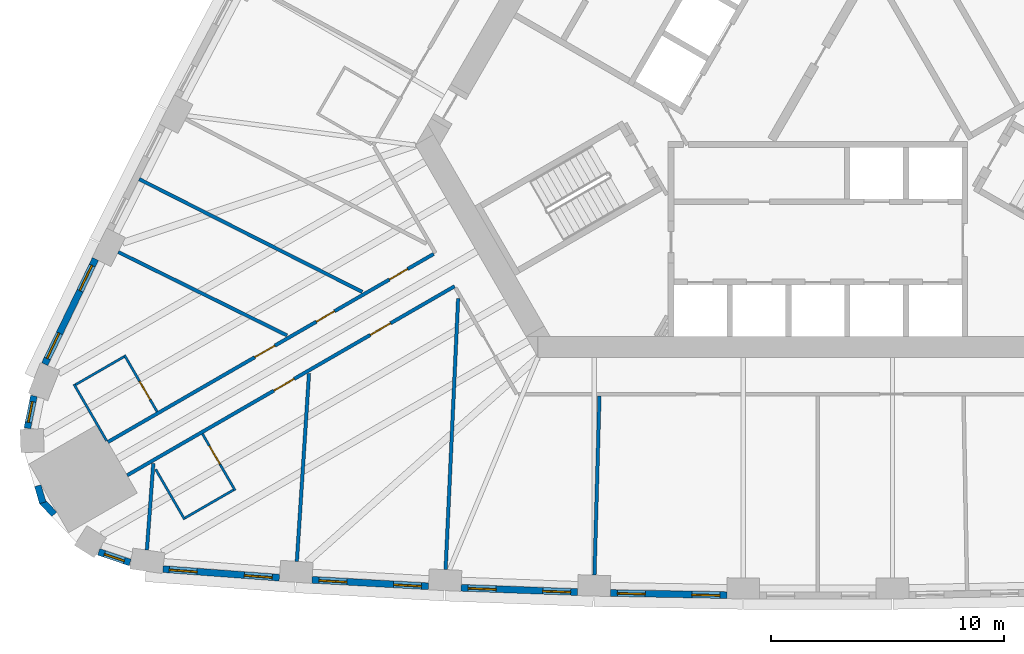
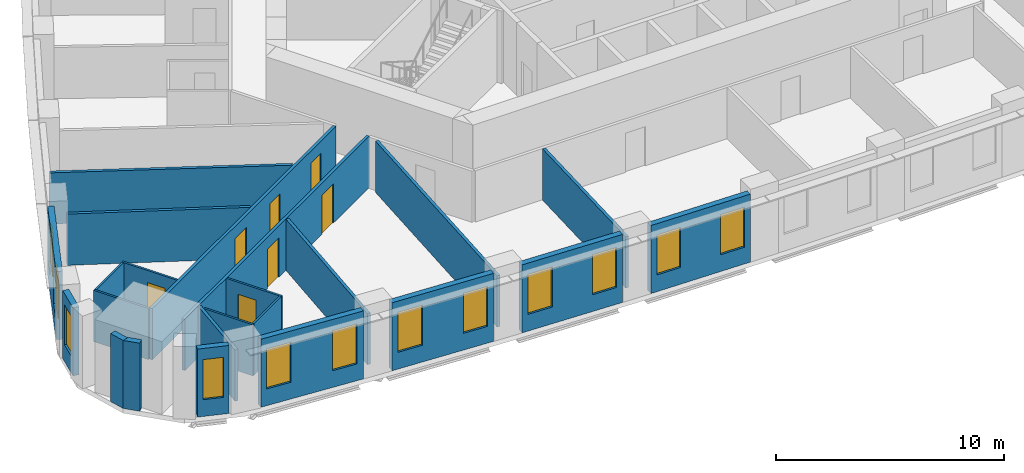
# One storey, part 3 of 12: 23 walls, 12 windows, 7 doors, 19 openings.
"""IFC4 building model written with IfcOpenShell, lengths in metres."""

from ifc_helpers import new_model, si_unit, direction, frame, frame_2d, origin, place, context, subcontext, project, spatial, rectangle, extrude, material, layer, layer_set, type_object, element, fill, save


model = new_model("IFC4")

# Units and contexts
model_context = context("Model", 3, precision=1e-05, world=origin(), true_north=direction((0.0, 1.0)))
body_context = subcontext(model_context, "Body", "Model", "MODEL_VIEW")
ifc_project = project(units=[si_unit("LENGTHUNIT", "METRE"), si_unit("AREAUNIT", "SQUARE_METRE"), si_unit("VOLUMEUNIT", "CUBIC_METRE"), si_unit("PLANEANGLEUNIT", "RADIAN"), si_unit("MASSUNIT", "GRAM", prefix="KILO")], contexts=[model_context])

# Site, building, storey
site_placement = place(None, origin())
site = spatial("IfcSite", under=ifc_project, at=site_placement, CompositionType="ELEMENT")
building_placement = place(site_placement, origin())
building = spatial("IfcBuilding", under=site, at=building_placement, Name="Mestral Congress Tower", CompositionType="ELEMENT")
storey_placement = place(building_placement, frame((0.0, 0.0, 39.300048828125)))
storey = spatial("IfcBuildingStorey", under=building, at=storey_placement, Name="L08", CompositionType="ELEMENT", Elevation=39.300048828125)

# Wall, openings, windows
ifc_material_1 = material(Name="Precast concrete C40/50 with limestone facing", Category="masonry")
ifc_layer_1 = layer(ifc_material_1, 0.2900390625)
ifc_layer_set_1 = layer_set([ifc_layer_1], Name="Precast concrete C40/50 with limestone facing")
wall_type_1 = type_object("IfcWallType", Name="Facade stone wall 290", PredefinedType="SOLIDWALL", material=ifc_layer_set_1)
wall_1_placement = place(storey_placement, frame((-28.097900390625, -22.086181640625, 0.0), z_axis=(0.0, 0.0, 1.0), x_axis=(0.997266290399, -0.073891447643, 0.0)))
wall_1 = element("IfcWall", 1, at=wall_1_placement, inside=storey, type_object=wall_type_1, Name="Facade wall F0-00", PredefinedType="SOLIDWALL", context=body_context, shape_type="SweptSolid", body=[
    extrude(rectangle(XDim=5.005615234375, YDim=0.2900390625, at=frame_2d((2.5029296875, 0.0))), origin(), (0.0, 0.0, 1.0), 3.64990234375),
])
opening_1_placement = place(wall_1_placement, frame((0.26513671875, 0.0, 0.89990234375)))
opening_1 = element("IfcOpeningElement", 2, at=opening_1_placement, cuts=wall_1, Name="Opening W1", PredefinedType="OPENING", context=body_context, shape_type="SweptSolid", body=[
    extrude(rectangle(XDim=1.199951171875, YDim=2.14990234375, at=frame_2d((0.60009765625, 1.074951171875))), frame((0.0, 0.155029296875, 0.0), z_axis=(0.0, -1.0, 0.0), x_axis=(1.0, 0.0, 0.0)), (0.0, 0.0, 1.0), 0.31005859375),
])
opening_2_placement = place(wall_1_placement, frame((3.49560546875, 0.0, 0.89990234375)))
opening_2 = element("IfcOpeningElement", 3, at=opening_2_placement, cuts=wall_1, Name="Opening W1", PredefinedType="OPENING", context=body_context, shape_type="SweptSolid", body=[
    extrude(rectangle(XDim=1.199951171875, YDim=2.14990234375, at=frame_2d((0.60009765625, 1.074951171875))), frame((0.0, 0.155029296875, 0.0), z_axis=(0.0, -1.0, 0.0), x_axis=(1.0, 0.0, 0.0)), (0.0, 0.0, 1.0), 0.31005859375),
])
ifc_material_2 = material(Name="Clear low-emissivity double glazing", Category="glass")
window_type_1 = type_object("IfcWindowType", Name="Facade punched window 1200 x 2150 sill 900", PartitioningType="DOUBLE_PANEL_VERTICAL", PredefinedType="WINDOW", material=ifc_material_2)
window_1_placement = place(opening_1_placement, origin())
window_1 = element("IfcWindow", 4, at=window_1_placement, inside=storey, type_object=window_type_1, Name="Window F0-00a", OverallHeight=2.14990234375, OverallWidth=1.199951171875, PartitioningType="DOUBLE_PANEL_VERTICAL", PredefinedType="WINDOW", context=body_context, shape_type="SweptSolid", body=[
    extrude(rectangle(XDim=1.199951171875, YDim=2.14990234375, at=frame_2d((0.60009765625, 1.074951171875))), frame((0.0, 0.01513671875, 0.0), z_axis=(0.0, -1.0, 0.0), x_axis=(1.0, 0.0, 0.0)), (0.0, 0.0, 1.0), 0.06005859375),
])
fill(opening_1, window_1)
window_2_placement = place(opening_2_placement, origin())
window_2 = element("IfcWindow", 5, at=window_2_placement, inside=storey, type_object=window_type_1, Name="Window F0-00b", OverallHeight=2.14990234375, OverallWidth=1.199951171875, PartitioningType="DOUBLE_PANEL_VERTICAL", PredefinedType="WINDOW", context=body_context, shape_type="SweptSolid", body=[
    extrude(rectangle(XDim=1.199951171875, YDim=2.14990234375, at=frame_2d((0.60009765625, 1.074951171875))), frame((0.0, 0.01513671875, 0.0), z_axis=(0.0, -1.0, 0.0), x_axis=(1.0, 0.0, 0.0)), (0.0, 0.0, 1.0), 0.06005859375),
])
fill(opening_2, window_2)

wall_2_placement = place(storey_placement, frame((-21.701416015625, -22.547119140625, 0.0), z_axis=(0.0, 0.0, 1.0), x_axis=(0.998464708705, -0.055391564976, 0.0)))
wall_2 = element("IfcWall", 6, at=wall_2_placement, inside=storey, type_object=wall_type_1, Name="Facade wall F0-01", PredefinedType="SOLIDWALL", context=body_context, shape_type="SweptSolid", body=[
    extrude(rectangle(XDim=4.998046875, YDim=0.2900390625, at=frame_2d((2.4990234375, 0.0))), origin(), (0.0, 0.0, 1.0), 3.64990234375),
])
opening_3_placement = place(wall_2_placement, frame((0.297119140625, 0.0, 0.89990234375)))
opening_3 = element("IfcOpeningElement", 7, at=opening_3_placement, cuts=wall_2, Name="Opening W1", PredefinedType="OPENING", context=body_context, shape_type="SweptSolid", body=[
    extrude(rectangle(XDim=1.199951171875, YDim=2.14990234375, at=frame_2d((0.60009765625, 1.074951171875))), frame((0.0, 0.155029296875, 0.0), z_axis=(0.0, -1.0, 0.0), x_axis=(1.0, 0.0, 0.0)), (0.0, 0.0, 1.0), 0.31005859375),
])
opening_4_placement = place(wall_2_placement, frame((3.501220703125, 0.0, 0.89990234375)))
opening_4 = element("IfcOpeningElement", 8, at=opening_4_placement, cuts=wall_2, Name="Opening W1", PredefinedType="OPENING", context=body_context, shape_type="SweptSolid", body=[
    extrude(rectangle(XDim=1.199951171875, YDim=2.14990234375, at=frame_2d((0.60009765625, 1.074951171875))), frame((0.0, 0.155029296875, 0.0), z_axis=(0.0, -1.0, 0.0), x_axis=(1.0, 0.0, 0.0)), (0.0, 0.0, 1.0), 0.31005859375),
])
window_3_placement = place(opening_3_placement, origin())
window_3 = element("IfcWindow", 9, at=window_3_placement, inside=storey, type_object=window_type_1, Name="Window F0-01a", OverallHeight=2.14990234375, OverallWidth=1.199951171875, PartitioningType="DOUBLE_PANEL_VERTICAL", PredefinedType="WINDOW", context=body_context, shape_type="SweptSolid", body=[
    extrude(rectangle(XDim=1.199951171875, YDim=2.14990234375, at=frame_2d((0.60009765625, 1.074951171875))), frame((0.0, 0.01513671875, 0.0), z_axis=(0.0, -1.0, 0.0), x_axis=(1.0, 0.0, 0.0)), (0.0, 0.0, 1.0), 0.06005859375),
])
fill(opening_3, window_3)
window_4_placement = place(opening_4_placement, origin())
window_4 = element("IfcWindow", 10, at=window_4_placement, inside=storey, type_object=window_type_1, Name="Window F0-01b", OverallHeight=2.14990234375, OverallWidth=1.199951171875, PartitioningType="DOUBLE_PANEL_VERTICAL", PredefinedType="WINDOW", context=body_context, shape_type="SweptSolid", body=[
    extrude(rectangle(XDim=1.199951171875, YDim=2.14990234375, at=frame_2d((0.60009765625, 1.074951171875))), frame((0.0, 0.01513671875, 0.0), z_axis=(0.0, -1.0, 0.0), x_axis=(1.0, 0.0, 0.0)), (0.0, 0.0, 1.0), 0.06005859375),
])
fill(opening_4, window_4)

wall_3_placement = place(storey_placement, frame((-15.30517578125, -22.88916015625, 0.0), z_axis=(0.0, 0.0, 1.0), x_axis=(0.999317974969, -0.036926750529, 0.0)))
wall_3 = element("IfcWall", 11, at=wall_3_placement, inside=storey, type_object=wall_type_1, Name="Facade wall F0-02", PredefinedType="SOLIDWALL", context=body_context, shape_type="SweptSolid", body=[
    extrude(rectangle(XDim=4.998291015625, YDim=0.2900390625, at=frame_2d((2.4990234375, 0.0))), origin(), (0.0, 0.0, 1.0), 3.64990234375),
])
opening_5_placement = place(wall_3_placement, frame((0.297119140625, 0.0, 0.89990234375)))
opening_5 = element("IfcOpeningElement", 12, at=opening_5_placement, cuts=wall_3, Name="Opening W1", PredefinedType="OPENING", context=body_context, shape_type="SweptSolid", body=[
    extrude(rectangle(XDim=1.199951171875, YDim=2.14990234375, at=frame_2d((0.60009765625, 1.074951171875))), frame((0.0, 0.155029296875, 0.0), z_axis=(0.0, -1.0, 0.0), x_axis=(1.0, 0.0, 0.0)), (0.0, 0.0, 1.0), 0.31005859375),
])
opening_6_placement = place(wall_3_placement, frame((3.501220703125, 0.0, 0.89990234375)))
opening_6 = element("IfcOpeningElement", 13, at=opening_6_placement, cuts=wall_3, Name="Opening W1", PredefinedType="OPENING", context=body_context, shape_type="SweptSolid", body=[
    extrude(rectangle(XDim=1.199951171875, YDim=2.14990234375, at=frame_2d((0.60009765625, 1.074951171875))), frame((0.0, 0.155029296875, 0.0), z_axis=(0.0, -1.0, 0.0), x_axis=(1.0, 0.0, 0.0)), (0.0, 0.0, 1.0), 0.31005859375),
])
window_5_placement = place(opening_5_placement, origin())
window_5 = element("IfcWindow", 14, at=window_5_placement, inside=storey, type_object=window_type_1, Name="Window F0-02a", OverallHeight=2.14990234375, OverallWidth=1.199951171875, PartitioningType="DOUBLE_PANEL_VERTICAL", PredefinedType="WINDOW", context=body_context, shape_type="SweptSolid", body=[
    extrude(rectangle(XDim=1.199951171875, YDim=2.14990234375, at=frame_2d((0.60009765625, 1.074951171875))), frame((0.0, 0.01513671875, 0.0), z_axis=(0.0, -1.0, 0.0), x_axis=(1.0, 0.0, 0.0)), (0.0, 0.0, 1.0), 0.06005859375),
])
fill(opening_5, window_5)
window_6_placement = place(opening_6_placement, origin())
window_6 = element("IfcWindow", 15, at=window_6_placement, inside=storey, type_object=window_type_1, Name="Window F0-02b", OverallHeight=2.14990234375, OverallWidth=1.199951171875, PartitioningType="DOUBLE_PANEL_VERTICAL", PredefinedType="WINDOW", context=body_context, shape_type="SweptSolid", body=[
    extrude(rectangle(XDim=1.199951171875, YDim=2.14990234375, at=frame_2d((0.60009765625, 1.074951171875))), frame((0.0, 0.01513671875, 0.0), z_axis=(0.0, -1.0, 0.0), x_axis=(1.0, 0.0, 0.0)), (0.0, 0.0, 1.0), 0.06005859375),
])
fill(opening_6, window_6)

wall_4_placement = place(storey_placement, frame((-8.903564453125, -23.11279296875, 0.0), z_axis=(0.0, 0.0, 1.0), x_axis=(0.999829529479, -0.018463801951, 0.0)))
wall_4 = element("IfcWall", 16, at=wall_4_placement, inside=storey, type_object=wall_type_1, Name="Facade wall F0-03", PredefinedType="SOLIDWALL", context=body_context, shape_type="SweptSolid", body=[
    extrude(rectangle(XDim=4.998046875, YDim=0.2900390625, at=frame_2d((2.4990234375, 0.0))), origin(), (0.0, 0.0, 1.0), 3.64990234375),
])
opening_7_placement = place(wall_4_placement, frame((0.297119140625, 0.0, 0.89990234375)))
opening_7 = element("IfcOpeningElement", 17, at=opening_7_placement, cuts=wall_4, Name="Opening W1", PredefinedType="OPENING", context=body_context, shape_type="SweptSolid", body=[
    extrude(rectangle(XDim=1.199951171875, YDim=2.14990234375, at=frame_2d((0.60009765625, 1.074951171875))), frame((0.0, 0.155029296875, 0.0), z_axis=(0.0, -1.0, 0.0), x_axis=(1.0, 0.0, 0.0)), (0.0, 0.0, 1.0), 0.31005859375),
])
opening_8_placement = place(wall_4_placement, frame((3.501220703125, 0.0, 0.89990234375)))
opening_8 = element("IfcOpeningElement", 18, at=opening_8_placement, cuts=wall_4, Name="Opening W1", PredefinedType="OPENING", context=body_context, shape_type="SweptSolid", body=[
    extrude(rectangle(XDim=1.199951171875, YDim=2.14990234375, at=frame_2d((0.60009765625, 1.074951171875))), frame((0.0, 0.155029296875, 0.0), z_axis=(0.0, -1.0, 0.0), x_axis=(1.0, 0.0, 0.0)), (0.0, 0.0, 1.0), 0.31005859375),
])
window_7_placement = place(opening_7_placement, origin())
window_7 = element("IfcWindow", 19, at=window_7_placement, inside=storey, type_object=window_type_1, Name="Window F0-03a", OverallHeight=2.14990234375, OverallWidth=1.199951171875, PartitioningType="DOUBLE_PANEL_VERTICAL", PredefinedType="WINDOW", context=body_context, shape_type="SweptSolid", body=[
    extrude(rectangle(XDim=1.199951171875, YDim=2.14990234375, at=frame_2d((0.60009765625, 1.074951171875))), frame((0.0, 0.01513671875, 0.0), z_axis=(0.0, -1.0, 0.0), x_axis=(1.0, 0.0, 0.0)), (0.0, 0.0, 1.0), 0.06005859375),
])
fill(opening_7, window_7)
window_8_placement = place(opening_8_placement, origin())
window_8 = element("IfcWindow", 20, at=window_8_placement, inside=storey, type_object=window_type_1, Name="Window F0-03b", OverallHeight=2.14990234375, OverallWidth=1.199951171875, PartitioningType="DOUBLE_PANEL_VERTICAL", PredefinedType="WINDOW", context=body_context, shape_type="SweptSolid", body=[
    extrude(rectangle(XDim=1.199951171875, YDim=2.14990234375, at=frame_2d((0.60009765625, 1.074951171875))), frame((0.0, 0.01513671875, 0.0), z_axis=(0.0, -1.0, 0.0), x_axis=(1.0, 0.0, 0.0)), (0.0, 0.0, 1.0), 0.06005859375),
])
fill(opening_8, window_8)

wall_5_placement = place(storey_placement, frame((-31.000244140625, -8.7822265625, 0.0), z_axis=(0.0, 0.0, 1.0), x_axis=(-0.434664499056, -0.900592456808, 0.0)))
wall_5 = element("IfcWall", 21, at=wall_5_placement, inside=storey, type_object=wall_type_1, Name="Facade wall F2-08", PredefinedType="SOLIDWALL", context=body_context, shape_type="SweptSolid", body=[
    extrude(rectangle(XDim=5.005615234375, YDim=0.2900390625, at=frame_2d((2.5029296875, 0.0))), origin(), (0.0, 0.0, 1.0), 3.64990234375),
])
opening_9_placement = place(wall_5_placement, frame((0.310302734375, 0.0, 0.89990234375)))
opening_9 = element("IfcOpeningElement", 22, at=opening_9_placement, cuts=wall_5, Name="Opening W1", PredefinedType="OPENING", context=body_context, shape_type="SweptSolid", body=[
    extrude(rectangle(XDim=1.199951171875, YDim=2.14990234375, at=frame_2d((0.60009765625, 1.074951171875))), frame((0.0, 0.155029296875, 0.0), z_axis=(0.0, -1.0, 0.0), x_axis=(1.0, 0.0, 0.0)), (0.0, 0.0, 1.0), 0.31005859375),
])
opening_10_placement = place(wall_5_placement, frame((3.54052734375, 0.0, 0.89990234375)))
opening_10 = element("IfcOpeningElement", 23, at=opening_10_placement, cuts=wall_5, Name="Opening W1", PredefinedType="OPENING", context=body_context, shape_type="SweptSolid", body=[
    extrude(rectangle(XDim=1.199951171875, YDim=2.14990234375, at=frame_2d((0.60009765625, 1.074951171875))), frame((0.0, 0.155029296875, 0.0), z_axis=(0.0, -1.0, 0.0), x_axis=(1.0, 0.0, 0.0)), (0.0, 0.0, 1.0), 0.31005859375),
])
window_9_placement = place(opening_9_placement, origin())
window_9 = element("IfcWindow", 24, at=window_9_placement, inside=storey, type_object=window_type_1, Name="Window F2-08a", OverallHeight=2.14990234375, OverallWidth=1.199951171875, PartitioningType="DOUBLE_PANEL_VERTICAL", PredefinedType="WINDOW", context=body_context, shape_type="SweptSolid", body=[
    extrude(rectangle(XDim=1.199951171875, YDim=2.14990234375, at=frame_2d((0.60009765625, 1.074951171875))), frame((0.0, 0.01513671875, 0.0), z_axis=(0.0, -1.0, 0.0), x_axis=(1.0, 0.0, 0.0)), (0.0, 0.0, 1.0), 0.06005859375),
])
fill(opening_9, window_9)
window_10_placement = place(opening_10_placement, origin())
window_10 = element("IfcWindow", 25, at=window_10_placement, inside=storey, type_object=window_type_1, Name="Window F2-08b", OverallHeight=2.14990234375, OverallWidth=1.199951171875, PartitioningType="DOUBLE_PANEL_VERTICAL", PredefinedType="WINDOW", context=body_context, shape_type="SweptSolid", body=[
    extrude(rectangle(XDim=1.199951171875, YDim=2.14990234375, at=frame_2d((0.60009765625, 1.074951171875))), frame((0.0, 0.01513671875, 0.0), z_axis=(0.0, -1.0, 0.0), x_axis=(1.0, 0.0, 0.0)), (0.0, 0.0, 1.0), 0.06005859375),
])
fill(opening_10, window_10)

# Wall, opening, window
wall_6_placement = place(storey_placement, frame((-33.63720703125, -14.656982421875, 0.0), z_axis=(0.0, 0.0, 1.0), x_axis=(-0.198106888228, -0.980180422594, 0.0)))
wall_6 = element("IfcWall", 26, at=wall_6_placement, inside=storey, type_object=wall_type_1, Name="Facade wall K2-0", PredefinedType="SOLIDWALL", context=body_context, shape_type="SweptSolid", body=[
    extrude(rectangle(XDim=1.414794921875, YDim=0.2900390625, at=frame_2d((0.70751953125, 0.0))), origin(), (0.0, 0.0, 1.0), 3.64990234375),
])
opening_11_placement = place(wall_6_placement, frame((0.25732421875, 0.0, 0.89990234375)))
opening_11 = element("IfcOpeningElement", 27, at=opening_11_placement, cuts=wall_6, Name="Opening W3", PredefinedType="OPENING", context=body_context, shape_type="SweptSolid", body=[
    extrude(rectangle(XDim=0.89990234375, YDim=2.14990234375, at=frame_2d((0.449951171875, 1.074951171875))), frame((0.0, 0.155029296875, 0.0), z_axis=(0.0, -1.0, 0.0), x_axis=(1.0, 0.0, 0.0)), (0.0, 0.0, 1.0), 0.31005859375),
])
window_type_2 = type_object("IfcWindowType", Name="Facade punched window 900 x 2150 sill 900", PartitioningType="SINGLE_PANEL", PredefinedType="WINDOW", material=ifc_material_2)
window_11_placement = place(opening_11_placement, origin())
window_11 = element("IfcWindow", 28, at=window_11_placement, inside=storey, type_object=window_type_2, Name="Window K2-0", OverallHeight=2.14990234375, OverallWidth=0.89990234375, PartitioningType="SINGLE_PANEL", PredefinedType="WINDOW", context=body_context, shape_type="SweptSolid", body=[
    extrude(rectangle(XDim=0.89990234375, YDim=2.14990234375, at=frame_2d((0.449951171875, 1.074951171875))), frame((0.0, 0.01513671875, 0.0), z_axis=(0.0, -1.0, 0.0), x_axis=(1.0, 0.0, 0.0)), (0.0, 0.0, 1.0), 0.06005859375),
])
fill(opening_11, window_11)

# Walls
for number, where, z_axis, x_axis, name in (
    (29, (-33.4697265625, -18.507080078125, 0.0), (0.0, 0.0, 1.0), (0.278981320915, -0.960296528464, 0.0), "Facade wall K2-1"),
    (30, (-33.291259765625, -19.180908203125, 0.0), (0.0, 0.0, 1.0), (0.692252359589, -0.721655506903, 0.0), "Facade wall K2-2"),
):
    element("IfcWall", number, at=place(storey_placement, frame(where, z_axis=z_axis, x_axis=x_axis)), inside=storey, type_object=wall_type_1, Name=name, PredefinedType="SOLIDWALL", context=body_context, shape_type="SweptSolid", body=[
        extrude(rectangle(XDim=0.763916015625, YDim=0.2900390625, at=frame_2d((0.3818359375, 0.0))), origin(), (0.0, 0.0, 1.0), 3.64990234375),
    ])

# Wall, opening, window
wall_7_placement = place(storey_placement, frame((-30.852783203125, -21.3515625, 0.0), z_axis=(0.0, 0.0, 1.0), x_axis=(0.947903891592, -0.318556450734, 0.0)))
wall_7 = element("IfcWall", 31, at=wall_7_placement, inside=storey, type_object=wall_type_1, Name="Facade wall K2-3", PredefinedType="SOLIDWALL", context=body_context, shape_type="SweptSolid", body=[
    extrude(rectangle(XDim=1.414794921875, YDim=0.2900390625, at=frame_2d((0.70751953125, 0.0))), origin(), (0.0, 0.0, 1.0), 3.64990234375),
])
opening_12_placement = place(wall_7_placement, frame((0.25732421875, 0.0, 0.89990234375)))
opening_12 = element("IfcOpeningElement", 32, at=opening_12_placement, cuts=wall_7, Name="Opening W3", PredefinedType="OPENING", context=body_context, shape_type="SweptSolid", body=[
    extrude(rectangle(XDim=0.89990234375, YDim=2.14990234375, at=frame_2d((0.449951171875, 1.074951171875))), frame((0.0, 0.155029296875, 0.0), z_axis=(0.0, -1.0, 0.0), x_axis=(1.0, 0.0, 0.0)), (0.0, 0.0, 1.0), 0.31005859375),
])
window_12_placement = place(opening_12_placement, origin())
window_12 = element("IfcWindow", 33, at=window_12_placement, inside=storey, type_object=window_type_2, Name="Window K2-3", OverallHeight=2.14990234375, OverallWidth=0.89990234375, PartitioningType="SINGLE_PANEL", PredefinedType="WINDOW", context=body_context, shape_type="SweptSolid", body=[
    extrude(rectangle(XDim=0.89990234375, YDim=2.14990234375, at=frame_2d((0.449951171875, 1.074951171875))), frame((0.0, 0.01513671875, 0.0), z_axis=(0.0, -1.0, 0.0), x_axis=(1.0, 0.0, 0.0)), (0.0, 0.0, 1.0), 0.06005859375),
])
fill(opening_12, window_12)

# Wall, opening, door
ifc_material_3 = material(Name="Gypsum board partition on metal studs with mineral wool", Category="composite")
ifc_layer_2 = layer(ifc_material_3, 0.10009765625)
ifc_layer_set_2 = layer_set([ifc_layer_2], Name="Gypsum board partition on metal studs with mineral wool")
wall_type_2 = type_object("IfcWallType", Name="Hotel partition wall 100", PredefinedType="PARTITIONING", material=ifc_layer_set_2)
wall_8_placement = place(storey_placement, frame((-25.0048828125, -18.708984375, 0.0), z_axis=(0.0, 0.0, 1.0), x_axis=(-0.49998411664, 0.866034573852, 0.0)))
wall_8 = element("IfcWall", 34, at=wall_8_placement, inside=storey, type_object=wall_type_2, Name="L08-h-pod01a", PredefinedType="PARTITIONING", context=body_context, shape_type="SweptSolid", body=[
    extrude(rectangle(XDim=2.7998046875, YDim=0.10009765625, at=frame_2d((1.39990234375, 0.0))), origin(), (0.0, 0.0, 1.0), 2.75),
])
opening_13_placement = place(wall_8_placement, frame((1.300048828125, 0.0, 0.0)))
opening_13 = element("IfcOpeningElement", 35, at=opening_13_placement, cuts=wall_8, Name="Opening H02-002", PredefinedType="OPENING", context=body_context, shape_type="SweptSolid", body=[
    extrude(rectangle(XDim=0.89990234375, YDim=2.10009765625, at=frame_2d((0.449951171875, 1.050048828125))), frame((0.0, 0.06005859375, 0.0), z_axis=(0.0, -1.0, 0.0), x_axis=(1.0, 0.0, 0.0)), (0.0, 0.0, 1.0), 0.1201171875),
])
ifc_material_4 = material(Name="Timber veneer door leaf in timber frame", Category="wood")
door_type_1 = type_object("IfcDoorType", Name="Bathroom door 900", OperationType="SINGLE_SWING_LEFT", PredefinedType="DOOR", material=ifc_material_4)
door_1_placement = place(opening_13_placement, origin())
door_1 = element("IfcDoor", 36, at=door_1_placement, inside=storey, type_object=door_type_1, Name="L08-h-d002", OperationType="SINGLE_SWING_LEFT", OverallHeight=2.10009765625, OverallWidth=0.89990234375, PredefinedType="DOOR", context=body_context, shape_type="SweptSolid", body=[
    extrude(rectangle(XDim=0.89990234375, YDim=2.10009765625, at=frame_2d((0.449951171875, 1.050048828125))), frame((0.0, 0.02490234375, 0.0), z_axis=(0.0, -1.0, 0.0), x_axis=(1.0, 0.0, 0.0)), (0.0, 0.0, 1.0), 0.050048828125),
])
fill(opening_13, door_1)

# Walls
wall_9_placement = place(storey_placement, frame((-25.072998046875, -18.690673828125, 0.0), z_axis=(0.0, 0.0, 1.0), x_axis=(-0.866050077142, -0.499957262057, 0.0)))
element("IfcWall", 37, at=wall_9_placement, inside=storey, type_object=wall_type_2, Name="L08-h-pod01b", PredefinedType="PARTITIONING", context=body_context, shape_type="SweptSolid", body=[
    extrude(rectangle(XDim=2.400146484375, YDim=0.10009765625, at=frame_2d((1.2001953125, 0.0))), origin(), (0.0, 0.0, 1.0), 2.75),
])
wall_10_placement = place(storey_placement, frame((-28.414794921875, -17.802490234375, 0.0), z_axis=(0.0, 0.0, 1.0), x_axis=(0.499945955465, -0.866056604163, 0.0)))
element("IfcWall", 38, at=wall_10_placement, inside=storey, type_object=wall_type_2, Name="L08-h-pod01c", PredefinedType="PARTITIONING", context=body_context, shape_type="SweptSolid", body=[
    extrude(rectangle(XDim=2.489990234375, YDim=0.10009765625, at=frame_2d((1.2451171875, 0.0))), origin(), (0.0, 0.0, 1.0), 2.75),
])

# Wall, opening, door
wall_11_placement = place(storey_placement, frame((-28.352294921875, -15.330078125, 0.0), z_axis=(0.0, 0.0, 1.0), x_axis=(-0.500049511043, 0.865996816683, 0.0)))
wall_11 = element("IfcWall", 39, at=wall_11_placement, inside=storey, type_object=wall_type_2, Name="L08-h-pod27a", PredefinedType="PARTITIONING", context=body_context, shape_type="SweptSolid", body=[
    extrude(rectangle(XDim=2.800048828125, YDim=0.10009765625, at=frame_2d((1.39990234375, 0.0))), origin(), (0.0, 0.0, 1.0), 2.75),
])
opening_14_placement = place(wall_11_placement, frame((0.60009765625, 0.0, 0.0)))
opening_14 = element("IfcOpeningElement", 40, at=opening_14_placement, cuts=wall_11, Name="Opening H02-044", PredefinedType="OPENING", context=body_context, shape_type="SweptSolid", body=[
    extrude(rectangle(XDim=0.89990234375, YDim=2.10009765625, at=frame_2d((0.449951171875, 1.050048828125))), frame((0.0, 0.06005859375, 0.0), z_axis=(0.0, -1.0, 0.0), x_axis=(1.0, 0.0, 0.0)), (0.0, 0.0, 1.0), 0.1201171875),
])
door_2_placement = place(opening_14_placement, origin())
door_2 = element("IfcDoor", 41, at=door_2_placement, inside=storey, type_object=door_type_1, Name="L08-h-d044", OperationType="SINGLE_SWING_RIGHT", OverallHeight=2.10009765625, OverallWidth=0.89990234375, PredefinedType="DOOR", context=body_context, shape_type="SweptSolid", body=[
    extrude(rectangle(XDim=0.89990234375, YDim=2.10009765625, at=frame_2d((0.449951171875, 1.050048828125))), frame((0.0, 0.02490234375, 0.0), z_axis=(0.0, -1.0, 0.0), x_axis=(1.0, 0.0, 0.0)), (0.0, 0.0, 1.0), 0.050048828125),
])
fill(opening_14, door_2)

# Walls
wall_12_placement = place(storey_placement, frame((-29.770751953125, -12.973388671875, 0.0), z_axis=(0.0, 0.0, 1.0), x_axis=(-0.865980596518, -0.500077600433, 0.0)))
element("IfcWall", 42, at=wall_12_placement, inside=storey, type_object=wall_type_2, Name="L08-h-pod27b", PredefinedType="PARTITIONING", context=body_context, shape_type="SweptSolid", body=[
    extrude(rectangle(XDim=2.39990234375, YDim=0.10009765625, at=frame_2d((1.199951171875, 0.0))), origin(), (0.0, 0.0, 1.0), 2.75),
])
wall_13_placement = place(storey_placement, frame((-30.517578125, -16.580078125, 0.0), z_axis=(0.0, 0.0, 1.0), x_axis=(-0.49998411664, 0.866034573852, 0.0)))
element("IfcWall", 43, at=wall_13_placement, inside=storey, type_object=wall_type_2, Name="L08-h-pod27c", PredefinedType="PARTITIONING", context=body_context, shape_type="SweptSolid", body=[
    extrude(rectangle(XDim=2.7998046875, YDim=0.10009765625, at=frame_2d((1.39990234375, 0.0))), origin(), (0.0, 0.0, 1.0), 2.75),
])

# Wall, openings, doors
ifc_layer_3 = layer(ifc_material_3, 0.14990234375)
ifc_layer_set_3 = layer_set([ifc_layer_3], Name="Gypsum board partition on metal studs with mineral wool")
wall_type_3 = type_object("IfcWallType", Name="Hotel partition wall 150", PredefinedType="PARTITIONING", material=ifc_layer_set_3)
wall_14_placement = place(storey_placement, frame((-30.462646484375, -16.635009765625, 0.0), z_axis=(0.0, 0.0, 1.0), x_axis=(0.866022394896, 0.500005211512, 0.0)))
wall_14 = element("IfcWall", 44, at=wall_14_placement, inside=storey, type_object=wall_type_3, Name="L08-h-cw10", PredefinedType="PARTITIONING", context=body_context, shape_type="SweptSolid", body=[
    extrude(rectangle(XDim=16.143798828125, YDim=0.14990234375, at=frame_2d((8.07177734375, 0.0))), origin(), (0.0, 0.0, 1.0), 2.75),
])
opening_15_placement = place(wall_14_placement, frame((13.948486328125, 0.0, 0.0)))
opening_15 = element("IfcOpeningElement", 45, at=opening_15_placement, cuts=wall_14, Name="Opening H02-041", PredefinedType="OPENING", context=body_context, shape_type="SweptSolid", body=[
    extrude(rectangle(XDim=0.89990234375, YDim=2.10009765625, at=frame_2d((0.449951171875, 1.050048828125))), frame((0.0, 0.0849609375, 0.0), z_axis=(0.0, -1.0, 0.0), x_axis=(1.0, 0.0, 0.0)), (0.0, 0.0, 1.0), 0.169921875),
])
opening_16_placement = place(wall_14_placement, frame((10.3291015625, 0.0, 0.0)))
opening_16 = element("IfcOpeningElement", 46, at=opening_16_placement, cuts=wall_14, Name="Opening H02-042", PredefinedType="OPENING", context=body_context, shape_type="SweptSolid", body=[
    extrude(rectangle(XDim=0.89990234375, YDim=2.10009765625, at=frame_2d((0.449951171875, 1.050048828125))), frame((0.0, 0.0849609375, 0.0), z_axis=(0.0, -1.0, 0.0), x_axis=(1.0, 0.0, 0.0)), (0.0, 0.0, 1.0), 0.169921875),
])
opening_17_placement = place(wall_14_placement, frame((7.273681640625, 0.0, 0.0)))
opening_17 = element("IfcOpeningElement", 47, at=opening_17_placement, cuts=wall_14, Name="Opening H02-043", PredefinedType="OPENING", context=body_context, shape_type="SweptSolid", body=[
    extrude(rectangle(XDim=1.0, YDim=2.10009765625, at=frame_2d((0.5, 1.050048828125))), frame((0.0, 0.0849609375, 0.0), z_axis=(0.0, -1.0, 0.0), x_axis=(1.0, 0.0, 0.0)), (0.0, 0.0, 1.0), 0.169921875),
])
ifc_material_5 = material(Name="Timber veneer door leaf in metal frame", Category="wood")
door_type_2 = type_object("IfcDoorType", Name="Guest room entrance door 1000", OperationType="SINGLE_SWING_LEFT", PredefinedType="DOOR", material=ifc_material_5)
door_3_placement = place(opening_17_placement, origin())
door_3 = element("IfcDoor", 48, at=door_3_placement, inside=storey, type_object=door_type_2, Name="L08-h-d043", OperationType="SINGLE_SWING_RIGHT", OverallHeight=2.10009765625, OverallWidth=1.0, PredefinedType="DOOR", context=body_context, shape_type="SweptSolid", body=[
    extrude(rectangle(XDim=1.0, YDim=2.10009765625, at=frame_2d((0.5, 1.050048828125))), frame((0.0, 0.02490234375, 0.0), z_axis=(0.0, -1.0, 0.0), x_axis=(1.0, 0.0, 0.0)), (0.0, 0.0, 1.0), 0.050048828125),
])
fill(opening_17, door_3)
door_type_3 = type_object("IfcDoorType", Name="Service room door 900", OperationType="SINGLE_SWING_LEFT", PredefinedType="DOOR", material=ifc_material_5)
door_4_placement = place(opening_15_placement, origin())
door_4 = element("IfcDoor", 49, at=door_4_placement, inside=storey, type_object=door_type_3, Name="L08-h-d041", OperationType="SINGLE_SWING_LEFT", OverallHeight=2.10009765625, OverallWidth=0.89990234375, PredefinedType="DOOR", context=body_context, shape_type="SweptSolid", body=[
    extrude(rectangle(XDim=0.89990234375, YDim=2.10009765625, at=frame_2d((0.449951171875, 1.050048828125))), frame((0.0, 0.02490234375, 0.0), z_axis=(0.0, -1.0, 0.0), x_axis=(1.0, 0.0, 0.0)), (0.0, 0.0, 1.0), 0.050048828125),
])
fill(opening_15, door_4)
door_5_placement = place(opening_16_placement, origin())
door_5 = element("IfcDoor", 50, at=door_5_placement, inside=storey, type_object=door_type_3, Name="L08-h-d042", OperationType="SINGLE_SWING_RIGHT", OverallHeight=2.10009765625, OverallWidth=0.89990234375, PredefinedType="DOOR", context=body_context, shape_type="SweptSolid", body=[
    extrude(rectangle(XDim=0.89990234375, YDim=2.10009765625, at=frame_2d((0.449951171875, 1.050048828125))), frame((0.0, 0.02490234375, 0.0), z_axis=(0.0, -1.0, 0.0), x_axis=(1.0, 0.0, 0.0)), (0.0, 0.0, 1.0), 0.050048828125),
])
fill(opening_16, door_5)

wall_15_placement = place(storey_placement, frame((-15.58740234375, -9.951904296875, 0.0), z_axis=(0.0, 0.0, 1.0), x_axis=(-0.866022197818, -0.500005552856, 0.0)))
wall_15 = element("IfcWall", 51, at=wall_15_placement, inside=storey, type_object=wall_type_3, Name="L08-h-cw11", PredefinedType="PARTITIONING", context=body_context, shape_type="SweptSolid", body=[
    extrude(rectangle(XDim=16.223876953125, YDim=0.14990234375, at=frame_2d((8.11181640625, 0.0))), origin(), (0.0, 0.0, 1.0), 2.75),
])
opening_18_placement = place(wall_15_placement, frame((7.948974609375, 0.0, 0.0)))
opening_18 = element("IfcOpeningElement", 52, at=opening_18_placement, cuts=wall_15, Name="Opening H02-001", PredefinedType="OPENING", context=body_context, shape_type="SweptSolid", body=[
    extrude(rectangle(XDim=1.0, YDim=2.10009765625, at=frame_2d((0.5, 1.050048828125))), frame((0.0, 0.0849609375, 0.0), z_axis=(0.0, -1.0, 0.0), x_axis=(1.0, 0.0, 0.0)), (0.0, 0.0, 1.0), 0.169921875),
])
opening_19_placement = place(wall_15_placement, frame((3.17236328125, 0.0, 0.0)))
opening_19 = element("IfcOpeningElement", 53, at=opening_19_placement, cuts=wall_15, Name="Opening H02-003", PredefinedType="OPENING", context=body_context, shape_type="SweptSolid", body=[
    extrude(rectangle(XDim=1.0, YDim=2.10009765625, at=frame_2d((0.5, 1.050048828125))), frame((0.0, 0.0849609375, 0.0), z_axis=(0.0, -1.0, 0.0), x_axis=(1.0, 0.0, 0.0)), (0.0, 0.0, 1.0), 0.169921875),
])
door_6_placement = place(opening_18_placement, origin())
door_6 = element("IfcDoor", 54, at=door_6_placement, inside=storey, type_object=door_type_2, Name="L08-h-d001", OperationType="SINGLE_SWING_LEFT", OverallHeight=2.10009765625, OverallWidth=1.0, PredefinedType="DOOR", context=body_context, shape_type="SweptSolid", body=[
    extrude(rectangle(XDim=1.0, YDim=2.10009765625, at=frame_2d((0.5, 1.050048828125))), frame((0.0, 0.02490234375, 0.0), z_axis=(0.0, -1.0, 0.0), x_axis=(1.0, 0.0, 0.0)), (0.0, 0.0, 1.0), 0.050048828125),
])
fill(opening_18, door_6)
door_7_placement = place(opening_19_placement, origin())
door_7 = element("IfcDoor", 55, at=door_7_placement, inside=storey, type_object=door_type_2, Name="L08-h-d003", OperationType="SINGLE_SWING_RIGHT", OverallHeight=2.10009765625, OverallWidth=1.0, PredefinedType="DOOR", context=body_context, shape_type="SweptSolid", body=[
    extrude(rectangle(XDim=1.0, YDim=2.10009765625, at=frame_2d((0.5, 1.050048828125))), frame((0.0, 0.02490234375, 0.0), z_axis=(0.0, -1.0, 0.0), x_axis=(1.0, 0.0, 0.0)), (0.0, 0.0, 1.0), 0.050048828125),
])
fill(opening_19, door_7)

# Walls
wall_16_placement = place(storey_placement, frame((-28.78955078125, -21.272705078125, 0.0), z_axis=(0.0, 0.0, 1.0), x_axis=(0.07382592098, 0.997271143366, 0.0)))
element("IfcWall", 56, at=wall_16_placement, inside=storey, type_object=wall_type_3, Name="L08-h-pw01", PredefinedType="PARTITIONING", context=body_context, shape_type="SweptSolid", body=[
    extrude(rectangle(XDim=3.733642578125, YDim=0.14990234375, at=frame_2d((1.86669921875, 0.0))), origin(), (0.0, 0.0, 1.0), 2.75),
])
for number, where, z_axis, x_axis, name in (
    (57, (-30.017578125, -8.48291015625, 0.0), (0.0, 0.0, 1.0), (0.896544505264, -0.44295366584, 0.0), "L08-h-pw02"),
    (58, (-22.355224609375, -21.75439453125, 0.0), (0.0, 0.0, 1.0), (0.064639533143, 0.997908678565, 0.0), "L08-h-pw03"),
):
    element("IfcWall", number, at=place(storey_placement, frame(where, z_axis=z_axis, x_axis=x_axis)), inside=storey, type_object=wall_type_3, Name=name, PredefinedType="PARTITIONING", context=body_context, shape_type="SweptSolid", body=[
        extrude(rectangle(XDim=8.078857421875, YDim=0.14990234375, at=frame_2d((4.03955078125, 0.0))), origin(), (0.0, 0.0, 1.0), 2.75),
    ])
wall_17_placement = place(storey_placement, frame((-29.119873046875, -5.355712890625, 0.0), z_axis=(0.0, 0.0, 1.0), x_axis=(0.892401965553, -0.451241323327, 0.0)))
element("IfcWall", 59, at=wall_17_placement, inside=storey, type_object=wall_type_3, Name="L08-h-pw04", PredefinedType="PARTITIONING", context=body_context, shape_type="SweptSolid", body=[
    extrude(rectangle(XDim=10.728759765625, YDim=0.14990234375, at=frame_2d((5.3642578125, 0.0))), origin(), (0.0, 0.0, 1.0), 2.75),
])
wall_18_placement = place(storey_placement, frame((-15.973388671875, -22.10888671875, 0.0), z_axis=(0.0, 0.0, 1.0), x_axis=(0.046191717129, 0.998932592955, 0.0)))
element("IfcWall", 60, at=wall_18_placement, inside=storey, type_object=wall_type_3, Name="L08-h-pw07", PredefinedType="PARTITIONING", context=body_context, shape_type="SweptSolid", body=[
    extrude(rectangle(XDim=11.638427734375, YDim=0.14990234375, at=frame_2d((5.8193359375, 0.0))), origin(), (0.0, 0.0, 1.0), 2.75),
])
wall_19_placement = place(storey_placement, frame((-9.586181640625, -22.34521484375, 0.0), z_axis=(0.0, 0.0, 1.0), x_axis=(0.027722115646, 0.999615668297, 0.0)))
element("IfcWall", 61, at=wall_19_placement, inside=storey, type_object=wall_type_3, Name="L08-h-pw10", PredefinedType="PARTITIONING", context=body_context, shape_type="SweptSolid", body=[
    extrude(rectangle(XDim=7.688232421875, YDim=0.14990234375, at=frame_2d((3.84423828125, 0.0))), origin(), (0.0, 0.0, 1.0), 2.75),
])

save(model, "model.ifc")
